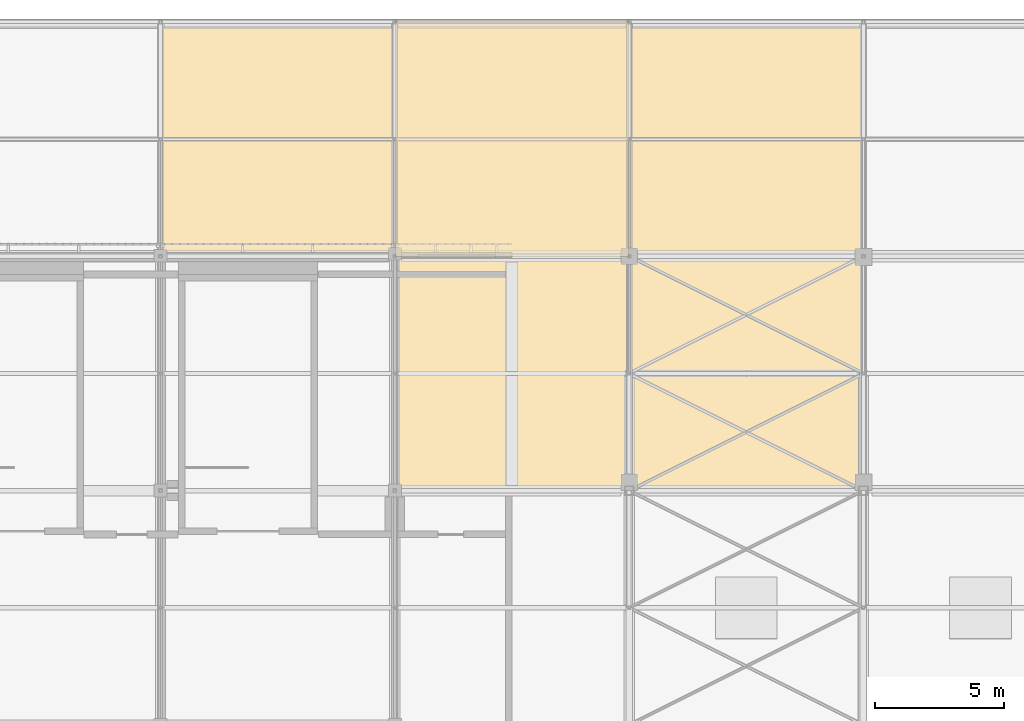
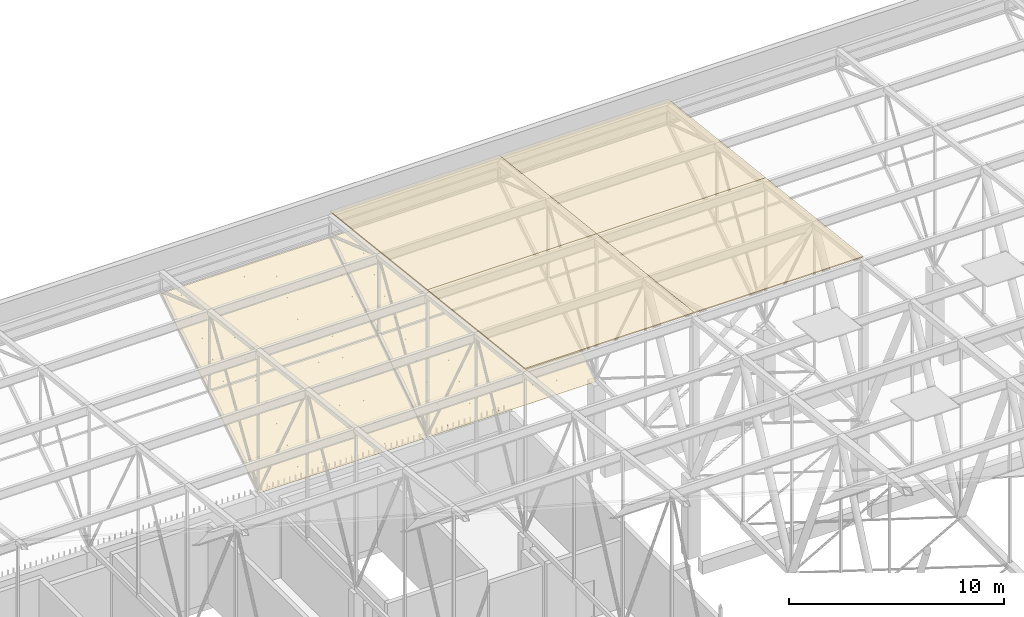
# One storey, part 478 of 500: 6 coverings.
"""IFC4 building model written with IfcOpenShell, lengths in metres."""

from ifc_helpers import new_model, si_unit, direction, frame, origin, place, context, subcontext, project, spatial, polyline, outline, extrude, material, layer, layer_set, type_object, element, save


model = new_model("IFC4")

# Units and contexts
model_context = context("Model", 3, precision=1e-05, world=origin(), true_north=direction((0.0, 1.0)))
body_context = subcontext(model_context, "Body", "Model", "MODEL_VIEW")
ifc_project = project(units=[si_unit("LENGTHUNIT", "METRE"), si_unit("AREAUNIT", "SQUARE_METRE"), si_unit("VOLUMEUNIT", "CUBIC_METRE"), si_unit("PLANEANGLEUNIT", "RADIAN"), si_unit("MASSUNIT", "GRAM", prefix="KILO")], contexts=[model_context])

# Site, building, storey
site_placement = place(None, origin())
site = spatial("IfcSite", under=ifc_project, at=site_placement, CompositionType="ELEMENT")
building_placement = place(site_placement, origin())
building = spatial("IfcBuilding", under=site, at=building_placement, Name="Shirokan Park Arena", CompositionType="ELEMENT")
storey_placement = place(building_placement, frame((0.0, 0.0, 29.1201171875)))
storey = spatial("IfcBuildingStorey", under=building, at=storey_placement, Name="L06", CompositionType="ELEMENT", Elevation=29.1201171875)

# Coverings
ifc_material_1 = material(Name="Bituminous roofing membrane")
ifc_layer_1 = layer(ifc_material_1, 0.010009765625, Name="Bituminous roofing membrane")
ifc_material_2 = material(Name="Mineral wool insulation")
ifc_layer_2 = layer(ifc_material_2, 0.050048828125, Name="Mineral wool insulation")
ifc_layer_set_1 = layer_set([ifc_layer_1, ifc_layer_2], Name="Bituminous roofing membrane + Mineral wool insulation")
covering_type_1 = type_object("IfcCoveringType", Name="Roofing membrane 60", PredefinedType="ROOFING", material=ifc_layer_set_1)
covering_1_placement = place(storey_placement, frame((36.39990234375, 100.10009765625, 13.970703125), z_axis=(0.0, 0.113552605302, 0.993531985308), x_axis=(1.0, 0.0, 0.0)))
element("IfcCovering", 1, at=covering_1_placement, inside=storey, type_object=covering_type_1, Name="Roofing", PredefinedType="ROOFING", context=body_context, shape_type="SweptSolid", body=[
    extrude(outline(polyline([(0.0, 0.0), (9.10009765625, 0.0), (9.10009765625, 9.159094674549367), (0.0, 9.159094674549367), (0.0, 0.0)])), origin(), (0.0, 0.0, -1.0), 0.06005859375),
])
covering_2_placement = place(storey_placement, frame((36.39990234375, 109.199951171875, 12.9306640625), z_axis=(0.0, 0.113549598152, 0.993532328996), x_axis=(1.0, 0.0, 0.0)))
element("IfcCovering", 2, at=covering_2_placement, inside=storey, type_object=covering_type_1, Name="Roofing", PredefinedType="ROOFING", context=body_context, shape_type="SweptSolid", body=[
    extrude(outline(polyline([(0.0, 0.0), (9.10009765625, 0.0), (9.10009765625, 9.15933723611117), (0.0, 9.15933723611117), (0.0, 0.0)])), origin(), (0.0, 0.0, -1.0), 0.06005859375),
])
covering_3_placement = place(storey_placement, frame((45.5, 100.10009765625, 13.970703125), z_axis=(0.0, 0.113552605302, 0.993531985308), x_axis=(1.0, 0.0, 0.0)))
element("IfcCovering", 3, at=covering_3_placement, inside=storey, type_object=covering_type_1, Name="Roofing", PredefinedType="ROOFING", context=body_context, shape_type="SweptSolid", body=[
    extrude(outline(polyline([(0.0, 0.0), (9.10009765625, 0.0), (9.10009765625, 9.159094674549367), (0.0, 9.159094674549367), (0.0, 0.0)])), origin(), (0.0, 0.0, -1.0), 0.06005859375),
])
covering_4_placement = place(storey_placement, frame((45.5, 109.199951171875, 12.9306640625), z_axis=(0.0, 0.113549598152, 0.993532328996), x_axis=(1.0, 0.0, 0.0)))
element("IfcCovering", 4, at=covering_4_placement, inside=storey, type_object=covering_type_1, Name="Roofing", PredefinedType="ROOFING", context=body_context, shape_type="SweptSolid", body=[
    extrude(outline(polyline([(0.0, 0.0), (9.10009765625, 0.0), (9.10009765625, 9.15933723611117), (0.0, 9.15933723611117), (0.0, 0.0)])), origin(), (0.0, 0.0, -1.0), 0.06005859375),
])
ifc_material_3 = material(Name="Timber soffit boards (cedar)", Category="wood")
ifc_layer_3 = layer(ifc_material_3, 0.030029296875)
ifc_layer_set_2 = layer_set([ifc_layer_3], Name="Timber soffit boards (cedar) 30 mm")
covering_type_2 = type_object("IfcCoveringType", Name="Timber boarded soffit panel", PredefinedType="CLADDING", material=ifc_layer_set_2)
covering_5_placement = place(storey_placement, origin())
element("IfcCovering", 5, at=covering_5_placement, inside=storey, type_object=covering_type_2, Name="Eave soffit north bay 4", PredefinedType="CLADDING", context=body_context, shape_type="SweptSolid", body=[
    extrude(outline(polyline([(0.0, 0.0), (0.1426933218479331, 0.0), (0.1426933218479331, -9.1), (0.0, -9.1), (0.0, 0.0)])), frame((36.39990234375, 109.320068359375, 4.60302734375), z_axis=(0.0, -0.541090493936, 0.840964373426), x_axis=(0.0, -0.840964373426, -0.541090493936)), (0.0, 0.0, -1.0), 0.030029296875),
    extrude(outline(polyline([(0.0, 0.0), (0.1426933218479331, 0.0), (0.1426933218479331, -9.1), (0.0, -9.1), (0.0, 0.0)])), frame((27.300048828125, 118.179931640625, 10.3037109375), z_axis=(0.0, -0.541090493936, 0.840964373426), x_axis=(0.0, 0.840964373426, 0.541090493936)), (0.0, 0.0, -1.0), 0.030029296875),
    extrude(outline(polyline([(0.0, 0.0), (0.11999999999999744, 0.0), (0.11999999999999744, -10.53547399675972), (0.0, -10.53547399675972), (0.0, 0.0)])), frame((36.39990234375, 109.320068359375, 4.60302734375), z_axis=(0.0, -0.541084340558, 0.84096833258), x_axis=(-1.0, 0.0, 0.0)), (0.0, 0.0, -1.0), 0.030029296875),
    extrude(outline(polyline([(0.0, 0.0), (0.120000000000001, 0.0), (0.120000000000001, -10.535473996759718), (0.0, -10.535473996759718), (0.0, 0.0)])), frame((27.300048828125, 118.179931640625, 10.3037109375), z_axis=(0.0, -0.541084340558, 0.84096833258), x_axis=(1.0, 0.0, 0.0)), (0.0, 0.0, -1.0), 0.030029296875),
    extrude(outline(polyline([(0.0, 0.0), (10.535473996759718, 0.0), (10.535473996759718, -0.183329999999998), (0.0, -0.183329999999998), (0.0, 0.0)])), frame((27.603271484375, 118.179931640625, 10.3037109375), z_axis=(0.0, -0.541084340558, 0.84096833258), x_axis=(0.0, -0.84096833258, -0.541084340558)), (0.0, 0.0, -1.0), 0.030029296875),
    extrude(outline(polyline([(0.0, 0.0), (10.535473996759718, 0.0), (10.535473996759718, -0.3033399999999986), (0.0, -0.3033399999999986), (0.0, 0.0)])), frame((27.90673828125, 118.179931640625, 10.3037109375), z_axis=(0.0, -0.541084340558, 0.84096833258), x_axis=(0.0, -0.84096833258, -0.541084340558)), (0.0, 0.0, -1.0), 0.030029296875),
    extrude(outline(polyline([(0.0, 0.0), (10.535473996759718, 0.0), (10.535473996759718, -0.30333000000000254), (0.0, -0.30333000000000254), (0.0, 0.0)])), frame((28.2099609375, 118.179931640625, 10.3037109375), z_axis=(0.0, -0.541084340558, 0.84096833258), x_axis=(0.0, -0.84096833258, -0.541084340558)), (0.0, 0.0, -1.0), 0.030029296875),
    extrude(outline(polyline([(0.0, 0.0), (10.535473996759718, 0.0), (10.535473996759718, -0.303329999999999), (0.0, -0.303329999999999), (0.0, 0.0)])), frame((28.513427734375, 118.179931640625, 10.3037109375), z_axis=(0.0, -0.541084340558, 0.84096833258), x_axis=(0.0, -0.84096833258, -0.541084340558)), (0.0, 0.0, -1.0), 0.030029296875),
    extrude(outline(polyline([(0.0, 0.0), (10.535473996759718, 0.0), (10.535473996759718, -0.3033399999999986), (0.0, -0.3033399999999986), (0.0, 0.0)])), frame((28.816650390625, 118.179931640625, 10.3037109375), z_axis=(0.0, -0.541084340558, 0.84096833258), x_axis=(0.0, -0.84096833258, -0.541084340558)), (0.0, 0.0, -1.0), 0.030029296875),
    extrude(outline(polyline([(0.0, 0.0), (10.535473996759718, 0.0), (10.535473996759718, -0.30333000000000254), (0.0, -0.30333000000000254), (0.0, 0.0)])), frame((29.1201171875, 118.179931640625, 10.3037109375), z_axis=(0.0, -0.541084340558, 0.84096833258), x_axis=(0.0, -0.84096833258, -0.541084340558)), (0.0, 0.0, -1.0), 0.030029296875),
    extrude(outline(polyline([(0.0, 0.0), (10.535473996759718, 0.0), (10.535473996759718, -0.303329999999999), (0.0, -0.303329999999999), (0.0, 0.0)])), frame((29.42333984375, 118.179931640625, 10.3037109375), z_axis=(0.0, -0.541084340558, 0.84096833258), x_axis=(0.0, -0.84096833258, -0.541084340558)), (0.0, 0.0, -1.0), 0.030029296875),
    extrude(outline(polyline([(0.0, 0.0), (10.535473996759718, 0.0), (10.535473996759718, -0.3033399999999986), (0.0, -0.3033399999999986), (0.0, 0.0)])), frame((29.7265625, 118.179931640625, 10.3037109375), z_axis=(0.0, -0.541084340558, 0.84096833258), x_axis=(0.0, -0.84096833258, -0.541084340558)), (0.0, 0.0, -1.0), 0.030029296875),
    extrude(outline(polyline([(0.0, 0.0), (10.535473996759718, 0.0), (10.535473996759718, -0.30333000000000254), (0.0, -0.30333000000000254), (0.0, 0.0)])), frame((30.030029296875, 118.179931640625, 10.3037109375), z_axis=(0.0, -0.541084340558, 0.84096833258), x_axis=(0.0, -0.84096833258, -0.541084340558)), (0.0, 0.0, -1.0), 0.030029296875),
    extrude(outline(polyline([(0.0, 0.0), (10.535473996759718, 0.0), (10.535473996759718, -0.303329999999999), (0.0, -0.303329999999999), (0.0, 0.0)])), frame((30.333251953125, 118.179931640625, 10.3037109375), z_axis=(0.0, -0.541084340558, 0.84096833258), x_axis=(0.0, -0.84096833258, -0.541084340558)), (0.0, 0.0, -1.0), 0.030029296875),
    extrude(outline(polyline([(0.0, 0.0), (10.535473996759718, 0.0), (10.535473996759718, -0.3033399999999986), (0.0, -0.3033399999999986), (0.0, 0.0)])), frame((30.63671875, 118.179931640625, 10.3037109375), z_axis=(0.0, -0.541084340558, 0.84096833258), x_axis=(0.0, -0.84096833258, -0.541084340558)), (0.0, 0.0, -1.0), 0.030029296875),
    extrude(outline(polyline([(0.0, 0.0), (10.535473996759718, 0.0), (10.535473996759718, -0.30333000000000254), (0.0, -0.30333000000000254), (0.0, 0.0)])), frame((30.93994140625, 118.179931640625, 10.3037109375), z_axis=(0.0, -0.541084340558, 0.84096833258), x_axis=(0.0, -0.84096833258, -0.541084340558)), (0.0, 0.0, -1.0), 0.030029296875),
    extrude(outline(polyline([(0.0, 0.0), (10.535473996759718, 0.0), (10.535473996759718, -0.303329999999999), (0.0, -0.303329999999999), (0.0, 0.0)])), frame((31.243408203125, 118.179931640625, 10.3037109375), z_axis=(0.0, -0.541084340558, 0.84096833258), x_axis=(0.0, -0.84096833258, -0.541084340558)), (0.0, 0.0, -1.0), 0.030029296875),
    extrude(outline(polyline([(0.0, 0.0), (10.535473996759718, 0.0), (10.535473996759718, -0.3033399999999986), (0.0, -0.3033399999999986), (0.0, 0.0)])), frame((31.546630859375, 118.179931640625, 10.3037109375), z_axis=(0.0, -0.541084340558, 0.84096833258), x_axis=(0.0, -0.84096833258, -0.541084340558)), (0.0, 0.0, -1.0), 0.030029296875),
    extrude(outline(polyline([(0.0, 0.0), (10.535473996759718, 0.0), (10.535473996759718, -0.30333000000000254), (0.0, -0.30333000000000254), (0.0, 0.0)])), frame((31.85009765625, 118.179931640625, 10.3037109375), z_axis=(0.0, -0.541084340558, 0.84096833258), x_axis=(0.0, -0.84096833258, -0.541084340558)), (0.0, 0.0, -1.0), 0.030029296875),
    extrude(outline(polyline([(0.0, 0.0), (10.535473996759718, 0.0), (10.535473996759718, -0.30332999999999544), (0.0, -0.30332999999999544), (0.0, 0.0)])), frame((32.1533203125, 118.179931640625, 10.3037109375), z_axis=(0.0, -0.541084340558, 0.84096833258), x_axis=(0.0, -0.84096833258, -0.541084340558)), (0.0, 0.0, -1.0), 0.030029296875),
    extrude(outline(polyline([(0.0, 0.0), (10.535473996759718, 0.0), (10.535473996759718, -0.3033400000000057), (0.0, -0.3033400000000057), (0.0, 0.0)])), frame((32.456787109375, 118.179931640625, 10.3037109375), z_axis=(0.0, -0.541084340558, 0.84096833258), x_axis=(0.0, -0.84096833258, -0.541084340558)), (0.0, 0.0, -1.0), 0.030029296875),
    extrude(outline(polyline([(0.0, 0.0), (10.535473996759718, 0.0), (10.535473996759718, -0.30332999999999544), (0.0, -0.30332999999999544), (0.0, 0.0)])), frame((32.760009765625, 118.179931640625, 10.3037109375), z_axis=(0.0, -0.541084340558, 0.84096833258), x_axis=(0.0, -0.84096833258, -0.541084340558)), (0.0, 0.0, -1.0), 0.030029296875),
    extrude(outline(polyline([(0.0, 0.0), (10.535473996759718, 0.0), (10.535473996759718, -0.30333000000000254), (0.0, -0.30333000000000254), (0.0, 0.0)])), frame((33.063232421875, 118.179931640625, 10.3037109375), z_axis=(0.0, -0.541084340558, 0.84096833258), x_axis=(0.0, -0.84096833258, -0.541084340558)), (0.0, 0.0, -1.0), 0.030029296875),
    extrude(outline(polyline([(0.0, 0.0), (10.535473996759718, 0.0), (10.535473996759718, -0.3033399999999986), (0.0, -0.3033399999999986), (0.0, 0.0)])), frame((33.36669921875, 118.179931640625, 10.3037109375), z_axis=(0.0, -0.541084340558, 0.84096833258), x_axis=(0.0, -0.84096833258, -0.541084340558)), (0.0, 0.0, -1.0), 0.030029296875),
    extrude(outline(polyline([(0.0, 0.0), (10.535473996759718, 0.0), (10.535473996759718, -0.30333000000000254), (0.0, -0.30333000000000254), (0.0, 0.0)])), frame((33.669921875, 118.179931640625, 10.3037109375), z_axis=(0.0, -0.541084340558, 0.84096833258), x_axis=(0.0, -0.84096833258, -0.541084340558)), (0.0, 0.0, -1.0), 0.030029296875),
    extrude(outline(polyline([(0.0, 0.0), (10.535473996759718, 0.0), (10.535473996759718, -0.30332999999999544), (0.0, -0.30332999999999544), (0.0, 0.0)])), frame((33.973388671875, 118.179931640625, 10.3037109375), z_axis=(0.0, -0.541084340558, 0.84096833258), x_axis=(0.0, -0.84096833258, -0.541084340558)), (0.0, 0.0, -1.0), 0.030029296875),
    extrude(outline(polyline([(0.0, 0.0), (10.535473996759718, 0.0), (10.535473996759718, -0.3033400000000057), (0.0, -0.3033400000000057), (0.0, 0.0)])), frame((34.276611328125, 118.179931640625, 10.3037109375), z_axis=(0.0, -0.541084340558, 0.84096833258), x_axis=(0.0, -0.84096833258, -0.541084340558)), (0.0, 0.0, -1.0), 0.030029296875),
    extrude(outline(polyline([(0.0, 0.0), (10.535473996759718, 0.0), (10.535473996759718, -0.30332999999999544), (0.0, -0.30332999999999544), (0.0, 0.0)])), frame((34.580078125, 118.179931640625, 10.3037109375), z_axis=(0.0, -0.541084340558, 0.84096833258), x_axis=(0.0, -0.84096833258, -0.541084340558)), (0.0, 0.0, -1.0), 0.030029296875),
    extrude(outline(polyline([(0.0, 0.0), (10.535473996759718, 0.0), (10.535473996759718, -0.30333000000000254), (0.0, -0.30333000000000254), (0.0, 0.0)])), frame((34.88330078125, 118.179931640625, 10.3037109375), z_axis=(0.0, -0.541084340558, 0.84096833258), x_axis=(0.0, -0.84096833258, -0.541084340558)), (0.0, 0.0, -1.0), 0.030029296875),
    extrude(outline(polyline([(0.0, 0.0), (10.535473996759718, 0.0), (10.535473996759718, -0.3033399999999986), (0.0, -0.3033399999999986), (0.0, 0.0)])), frame((35.186767578125, 118.179931640625, 10.3037109375), z_axis=(0.0, -0.541084340558, 0.84096833258), x_axis=(0.0, -0.84096833258, -0.541084340558)), (0.0, 0.0, -1.0), 0.030029296875),
    extrude(outline(polyline([(0.0, 0.0), (10.535473996759718, 0.0), (10.535473996759718, -0.30333000000000254), (0.0, -0.30333000000000254), (0.0, 0.0)])), frame((35.489990234375, 118.179931640625, 10.3037109375), z_axis=(0.0, -0.541084340558, 0.84096833258), x_axis=(0.0, -0.84096833258, -0.541084340558)), (0.0, 0.0, -1.0), 0.030029296875),
    extrude(outline(polyline([(0.0, 0.0), (10.535473996759718, 0.0), (10.535473996759718, -0.30332999999999544), (0.0, -0.30332999999999544), (0.0, 0.0)])), frame((35.793212890625, 118.179931640625, 10.3037109375), z_axis=(0.0, -0.541084340558, 0.84096833258), x_axis=(0.0, -0.84096833258, -0.541084340558)), (0.0, 0.0, -1.0), 0.030029296875),
    extrude(outline(polyline([(0.0, 0.0), (10.535473996759718, 0.0), (10.535473996759718, -0.3033400000000057), (0.0, -0.3033400000000057), (0.0, 0.0)])), frame((36.0966796875, 118.179931640625, 10.3037109375), z_axis=(0.0, -0.541084340558, 0.84096833258), x_axis=(0.0, -0.84096833258, -0.541084340558)), (0.0, 0.0, -1.0), 0.030029296875),
    extrude(outline(polyline([(0.0, 0.0), (10.53547399675972, 0.0), (10.53547399675972, -0.183329999999998), (0.0, -0.183329999999998), (0.0, 0.0)])), frame((36.280029296875, 118.179931640625, 10.3037109375), z_axis=(0.0, -0.541084340558, 0.84096833258), x_axis=(0.0, -0.84096833258, -0.541084340558)), (0.0, 0.0, -1.0), 0.030029296875),
])
covering_6_placement = place(storey_placement, origin())
element("IfcCovering", 6, at=covering_6_placement, inside=storey, type_object=covering_type_2, Name="Eave soffit north bay 5", PredefinedType="CLADDING", context=body_context, shape_type="SweptSolid", body=[
    extrude(outline(polyline([(0.0, 0.0), (0.14269332184793307, 0.0), (0.14269332184793307, -9.100000000000001), (0.0, -9.100000000000001), (0.0, 0.0)])), frame((45.5, 109.320068359375, 4.60302734375), z_axis=(0.0, -0.541090493936, 0.840964373426), x_axis=(0.0, -0.840964373426, -0.541090493936)), (0.0, 0.0, -1.0), 0.030029296875),
    extrude(outline(polyline([(0.0, 0.0), (0.1426933218479331, 0.0), (0.1426933218479331, -9.100000000000003), (0.0, -9.100000000000003), (0.0, 0.0)])), frame((36.39990234375, 118.179931640625, 10.3037109375), z_axis=(0.0, -0.541090493936, 0.840964373426), x_axis=(0.0, 0.840964373426, 0.541090493936)), (0.0, 0.0, -1.0), 0.030029296875),
    extrude(outline(polyline([(0.0, 0.0), (0.11999999999999744, 0.0), (0.11999999999999744, -10.53547399675972), (0.0, -10.53547399675972), (0.0, 0.0)])), frame((45.5, 109.320068359375, 4.60302734375), z_axis=(0.0, -0.541084340558, 0.84096833258), x_axis=(-1.0, 0.0, 0.0)), (0.0, 0.0, -1.0), 0.030029296875),
    extrude(outline(polyline([(0.0, 0.0), (0.12000000000000455, 0.0), (0.12000000000000455, -10.535473996759716), (0.0, -10.535473996759716), (0.0, 0.0)])), frame((36.39990234375, 118.179931640625, 10.3037109375), z_axis=(0.0, -0.541084340558, 0.84096833258), x_axis=(1.0, 0.0, 0.0)), (0.0, 0.0, -1.0), 0.030029296875),
    extrude(outline(polyline([(0.0, 0.0), (10.53547399675972, 0.0), (10.53547399675972, -0.183329999999998), (0.0, -0.183329999999998), (0.0, 0.0)])), frame((36.703369140625, 118.179931640625, 10.3037109375), z_axis=(0.0, -0.541084340558, 0.84096833258), x_axis=(0.0, -0.84096833258, -0.541084340558)), (0.0, 0.0, -1.0), 0.030029296875),
    extrude(outline(polyline([(0.0, 0.0), (10.535473996759718, 0.0), (10.535473996759718, -0.3033399999999986), (0.0, -0.3033399999999986), (0.0, 0.0)])), frame((37.006591796875, 118.179931640625, 10.3037109375), z_axis=(0.0, -0.541084340558, 0.84096833258), x_axis=(0.0, -0.84096833258, -0.541084340558)), (0.0, 0.0, -1.0), 0.030029296875),
    extrude(outline(polyline([(0.0, 0.0), (10.535473996759718, 0.0), (10.535473996759718, -0.30333000000000254), (0.0, -0.30333000000000254), (0.0, 0.0)])), frame((37.31005859375, 118.179931640625, 10.3037109375), z_axis=(0.0, -0.541084340558, 0.84096833258), x_axis=(0.0, -0.84096833258, -0.541084340558)), (0.0, 0.0, -1.0), 0.030029296875),
    extrude(outline(polyline([(0.0, 0.0), (10.535473996759718, 0.0), (10.535473996759718, -0.30332999999999544), (0.0, -0.30332999999999544), (0.0, 0.0)])), frame((37.61328125, 118.179931640625, 10.3037109375), z_axis=(0.0, -0.541084340558, 0.84096833258), x_axis=(0.0, -0.84096833258, -0.541084340558)), (0.0, 0.0, -1.0), 0.030029296875),
    extrude(outline(polyline([(0.0, 0.0), (10.535473996759718, 0.0), (10.535473996759718, -0.30334000000000566), (0.0, -0.30334000000000566), (0.0, 0.0)])), frame((37.916748046875, 118.179931640625, 10.3037109375), z_axis=(0.0, -0.541084340558, 0.84096833258), x_axis=(0.0, -0.84096833258, -0.541084340558)), (0.0, 0.0, -1.0), 0.030029296875),
    extrude(outline(polyline([(0.0, 0.0), (10.535473996759718, 0.0), (10.535473996759718, -0.30332999999999544), (0.0, -0.30332999999999544), (0.0, 0.0)])), frame((38.219970703125, 118.179931640625, 10.3037109375), z_axis=(0.0, -0.541084340558, 0.84096833258), x_axis=(0.0, -0.84096833258, -0.541084340558)), (0.0, 0.0, -1.0), 0.030029296875),
    extrude(outline(polyline([(0.0, 0.0), (10.535473996759718, 0.0), (10.535473996759718, -0.30333000000000254), (0.0, -0.30333000000000254), (0.0, 0.0)])), frame((38.5234375, 118.179931640625, 10.3037109375), z_axis=(0.0, -0.541084340558, 0.84096833258), x_axis=(0.0, -0.84096833258, -0.541084340558)), (0.0, 0.0, -1.0), 0.030029296875),
    extrude(outline(polyline([(0.0, 0.0), (10.535473996759718, 0.0), (10.535473996759718, -0.3033399999999986), (0.0, -0.3033399999999986), (0.0, 0.0)])), frame((38.82666015625, 118.179931640625, 10.3037109375), z_axis=(0.0, -0.541084340558, 0.84096833258), x_axis=(0.0, -0.84096833258, -0.541084340558)), (0.0, 0.0, -1.0), 0.030029296875),
    extrude(outline(polyline([(0.0, 0.0), (10.535473996759718, 0.0), (10.535473996759718, -0.30333000000000254), (0.0, -0.30333000000000254), (0.0, 0.0)])), frame((39.1298828125, 118.179931640625, 10.3037109375), z_axis=(0.0, -0.541084340558, 0.84096833258), x_axis=(0.0, -0.84096833258, -0.541084340558)), (0.0, 0.0, -1.0), 0.030029296875),
    extrude(outline(polyline([(0.0, 0.0), (10.535473996759718, 0.0), (10.535473996759718, -0.30332999999999544), (0.0, -0.30332999999999544), (0.0, 0.0)])), frame((39.433349609375, 118.179931640625, 10.3037109375), z_axis=(0.0, -0.541084340558, 0.84096833258), x_axis=(0.0, -0.84096833258, -0.541084340558)), (0.0, 0.0, -1.0), 0.030029296875),
    extrude(outline(polyline([(0.0, 0.0), (10.535473996759718, 0.0), (10.535473996759718, -0.3033399999999986), (0.0, -0.3033399999999986), (0.0, 0.0)])), frame((39.736572265625, 118.179931640625, 10.3037109375), z_axis=(0.0, -0.541084340558, 0.84096833258), x_axis=(0.0, -0.84096833258, -0.541084340558)), (0.0, 0.0, -1.0), 0.030029296875),
    extrude(outline(polyline([(0.0, 0.0), (10.535473996759718, 0.0), (10.535473996759718, -0.30333000000000254), (0.0, -0.30333000000000254), (0.0, 0.0)])), frame((40.0400390625, 118.179931640625, 10.3037109375), z_axis=(0.0, -0.541084340558, 0.84096833258), x_axis=(0.0, -0.84096833258, -0.541084340558)), (0.0, 0.0, -1.0), 0.030029296875),
    extrude(outline(polyline([(0.0, 0.0), (10.535473996759718, 0.0), (10.535473996759718, -0.30333000000000254), (0.0, -0.30333000000000254), (0.0, 0.0)])), frame((40.34326171875, 118.179931640625, 10.3037109375), z_axis=(0.0, -0.541084340558, 0.84096833258), x_axis=(0.0, -0.84096833258, -0.541084340558)), (0.0, 0.0, -1.0), 0.030029296875),
    extrude(outline(polyline([(0.0, 0.0), (10.535473996759718, 0.0), (10.535473996759718, -0.3033399999999986), (0.0, -0.3033399999999986), (0.0, 0.0)])), frame((40.646728515625, 118.179931640625, 10.3037109375), z_axis=(0.0, -0.541084340558, 0.84096833258), x_axis=(0.0, -0.84096833258, -0.541084340558)), (0.0, 0.0, -1.0), 0.030029296875),
    extrude(outline(polyline([(0.0, 0.0), (10.535473996759718, 0.0), (10.535473996759718, -0.30333000000000254), (0.0, -0.30333000000000254), (0.0, 0.0)])), frame((40.949951171875, 118.179931640625, 10.3037109375), z_axis=(0.0, -0.541084340558, 0.84096833258), x_axis=(0.0, -0.84096833258, -0.541084340558)), (0.0, 0.0, -1.0), 0.030029296875),
    extrude(outline(polyline([(0.0, 0.0), (10.535473996759718, 0.0), (10.535473996759718, -0.30332999999999544), (0.0, -0.30332999999999544), (0.0, 0.0)])), frame((41.25341796875, 118.179931640625, 10.3037109375), z_axis=(0.0, -0.541084340558, 0.84096833258), x_axis=(0.0, -0.84096833258, -0.541084340558)), (0.0, 0.0, -1.0), 0.030029296875),
    extrude(outline(polyline([(0.0, 0.0), (10.535473996759718, 0.0), (10.535473996759718, -0.3033399999999986), (0.0, -0.3033399999999986), (0.0, 0.0)])), frame((41.556640625, 118.179931640625, 10.3037109375), z_axis=(0.0, -0.541084340558, 0.84096833258), x_axis=(0.0, -0.84096833258, -0.541084340558)), (0.0, 0.0, -1.0), 0.030029296875),
    extrude(outline(polyline([(0.0, 0.0), (10.535473996759718, 0.0), (10.535473996759718, -0.30333000000000254), (0.0, -0.30333000000000254), (0.0, 0.0)])), frame((41.860107421875, 118.179931640625, 10.3037109375), z_axis=(0.0, -0.541084340558, 0.84096833258), x_axis=(0.0, -0.84096833258, -0.541084340558)), (0.0, 0.0, -1.0), 0.030029296875),
    extrude(outline(polyline([(0.0, 0.0), (10.535473996759718, 0.0), (10.535473996759718, -0.30333000000000254), (0.0, -0.30333000000000254), (0.0, 0.0)])), frame((42.163330078125, 118.179931640625, 10.3037109375), z_axis=(0.0, -0.541084340558, 0.84096833258), x_axis=(0.0, -0.84096833258, -0.541084340558)), (0.0, 0.0, -1.0), 0.030029296875),
    extrude(outline(polyline([(0.0, 0.0), (10.535473996759718, 0.0), (10.535473996759718, -0.3033399999999986), (0.0, -0.3033399999999986), (0.0, 0.0)])), frame((42.466552734375, 118.179931640625, 10.3037109375), z_axis=(0.0, -0.541084340558, 0.84096833258), x_axis=(0.0, -0.84096833258, -0.541084340558)), (0.0, 0.0, -1.0), 0.030029296875),
    extrude(outline(polyline([(0.0, 0.0), (10.535473996759718, 0.0), (10.535473996759718, -0.30333000000000254), (0.0, -0.30333000000000254), (0.0, 0.0)])), frame((42.77001953125, 118.179931640625, 10.3037109375), z_axis=(0.0, -0.541084340558, 0.84096833258), x_axis=(0.0, -0.84096833258, -0.541084340558)), (0.0, 0.0, -1.0), 0.030029296875),
    extrude(outline(polyline([(0.0, 0.0), (10.535473996759718, 0.0), (10.535473996759718, -0.30332999999999544), (0.0, -0.30332999999999544), (0.0, 0.0)])), frame((43.0732421875, 118.179931640625, 10.3037109375), z_axis=(0.0, -0.541084340558, 0.84096833258), x_axis=(0.0, -0.84096833258, -0.541084340558)), (0.0, 0.0, -1.0), 0.030029296875),
    extrude(outline(polyline([(0.0, 0.0), (10.535473996759718, 0.0), (10.535473996759718, -0.3033399999999986), (0.0, -0.3033399999999986), (0.0, 0.0)])), frame((43.376708984375, 118.179931640625, 10.3037109375), z_axis=(0.0, -0.541084340558, 0.84096833258), x_axis=(0.0, -0.84096833258, -0.541084340558)), (0.0, 0.0, -1.0), 0.030029296875),
    extrude(outline(polyline([(0.0, 0.0), (10.535473996759718, 0.0), (10.535473996759718, -0.30333000000000254), (0.0, -0.30333000000000254), (0.0, 0.0)])), frame((43.679931640625, 118.179931640625, 10.3037109375), z_axis=(0.0, -0.541084340558, 0.84096833258), x_axis=(0.0, -0.84096833258, -0.541084340558)), (0.0, 0.0, -1.0), 0.030029296875),
    extrude(outline(polyline([(0.0, 0.0), (10.535473996759718, 0.0), (10.535473996759718, -0.30333000000000254), (0.0, -0.30333000000000254), (0.0, 0.0)])), frame((43.9833984375, 118.179931640625, 10.3037109375), z_axis=(0.0, -0.541084340558, 0.84096833258), x_axis=(0.0, -0.84096833258, -0.541084340558)), (0.0, 0.0, -1.0), 0.030029296875),
    extrude(outline(polyline([(0.0, 0.0), (10.535473996759718, 0.0), (10.535473996759718, -0.3033399999999986), (0.0, -0.3033399999999986), (0.0, 0.0)])), frame((44.28662109375, 118.179931640625, 10.3037109375), z_axis=(0.0, -0.541084340558, 0.84096833258), x_axis=(0.0, -0.84096833258, -0.541084340558)), (0.0, 0.0, -1.0), 0.030029296875),
    extrude(outline(polyline([(0.0, 0.0), (10.535473996759718, 0.0), (10.535473996759718, -0.30333000000000254), (0.0, -0.30333000000000254), (0.0, 0.0)])), frame((44.590087890625, 118.179931640625, 10.3037109375), z_axis=(0.0, -0.541084340558, 0.84096833258), x_axis=(0.0, -0.84096833258, -0.541084340558)), (0.0, 0.0, -1.0), 0.030029296875),
    extrude(outline(polyline([(0.0, 0.0), (10.535473996759718, 0.0), (10.535473996759718, -0.30332999999999544), (0.0, -0.30332999999999544), (0.0, 0.0)])), frame((44.893310546875, 118.179931640625, 10.3037109375), z_axis=(0.0, -0.541084340558, 0.84096833258), x_axis=(0.0, -0.84096833258, -0.541084340558)), (0.0, 0.0, -1.0), 0.030029296875),
    extrude(outline(polyline([(0.0, 0.0), (10.535473996759718, 0.0), (10.535473996759718, -0.3033399999999986), (0.0, -0.3033399999999986), (0.0, 0.0)])), frame((45.19677734375, 118.179931640625, 10.3037109375), z_axis=(0.0, -0.541084340558, 0.84096833258), x_axis=(0.0, -0.84096833258, -0.541084340558)), (0.0, 0.0, -1.0), 0.030029296875),
    extrude(outline(polyline([(0.0, 0.0), (10.535473996759718, 0.0), (10.535473996759718, -0.1833300000000051), (0.0, -0.1833300000000051), (0.0, 0.0)])), frame((45.3798828125, 118.179931640625, 10.3037109375), z_axis=(0.0, -0.541084340558, 0.84096833258), x_axis=(0.0, -0.84096833258, -0.541084340558)), (0.0, 0.0, -1.0), 0.030029296875),
])

save(model, "model.ifc")
